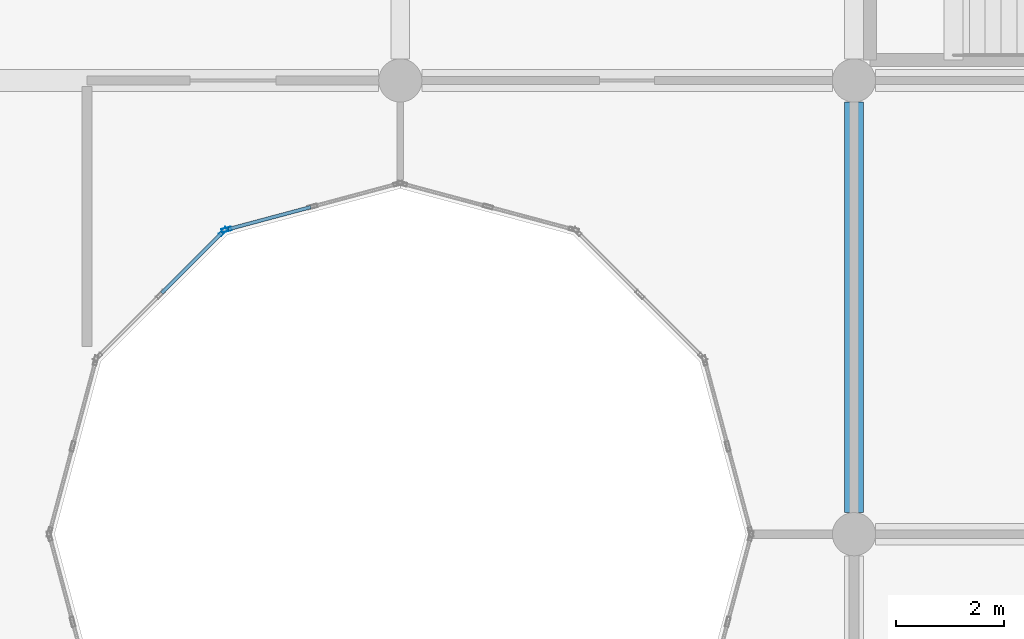
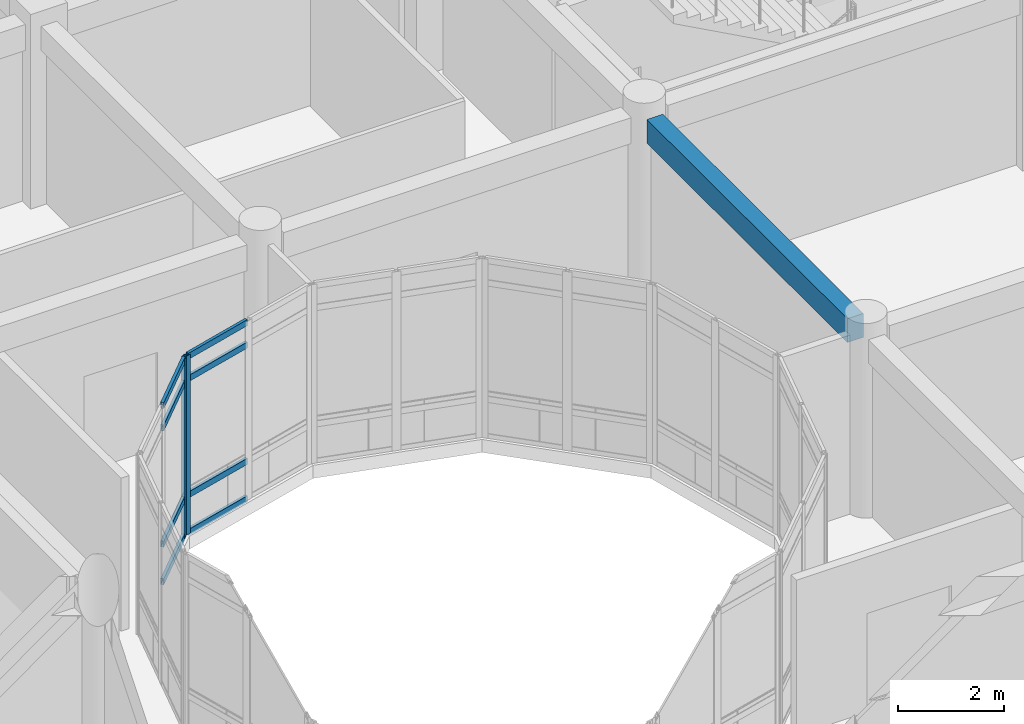
# One storey, part 54 of 144: 10 members, 1 beam, 2 elements without a shape of their own.
"""IFC4 building model written with IfcOpenShell, lengths in metres."""

from ifc_helpers import new_model, si_unit, direction, frame, origin, origin_2d, place, context, subcontext, project, spatial, rectangle, hollow_rectangle, extrude, material, layer, layer_set, material_profile, profile_set, type_object, element, aggregate, save


model = new_model("IFC4")

# Units and contexts
model_context = context("Model", 3, precision=1e-05, world=origin(), true_north=direction((0.0, 1.0)))
body_context = subcontext(model_context, "Body", "Model", "MODEL_VIEW")
ifc_project = project(units=[si_unit("LENGTHUNIT", "METRE"), si_unit("AREAUNIT", "SQUARE_METRE"), si_unit("VOLUMEUNIT", "CUBIC_METRE"), si_unit("PLANEANGLEUNIT", "RADIAN"), si_unit("MASSUNIT", "GRAM", prefix="KILO")], contexts=[model_context])

# Site, building, storey
site_placement = place(None, origin())
site = spatial("IfcSite", under=ifc_project, at=site_placement, CompositionType="ELEMENT")
building_placement = place(site_placement, origin())
building = spatial("IfcBuilding", under=site, at=building_placement, Name="Bramfleet General Hospital", CompositionType="ELEMENT")
storey_placement = place(building_placement, frame((0.0, 0.0, 4.800048828125)))
storey = spatial("IfcBuildingStorey", under=building, at=storey_placement, Name="L01", CompositionType="ELEMENT", Elevation=4.800048828125)

# Beam
ifc_material_1 = material(Name="Concrete C35/45", Category="concrete")
ifc_material_profile_1 = material_profile(ifc_material_1, rectangle(XDim=0.35009765625, YDim=0.550048828125, at=origin_2d()), Name="RC BM 550x350")
ifc_profile_set_1 = profile_set([ifc_material_profile_1], Name="Concrete C35/45")
beam_type = type_object("IfcBeamType", Name="BM-RC550", PredefinedType="BEAM", material=ifc_profile_set_1)
beam_placement = place(storey_placement, frame((126.0, 67.60009765625, 3.875), z_axis=(0.0, 1.0, 0.0), x_axis=(-1.0, 0.0, 0.0)))
element("IfcBeam", 1, at=beam_placement, inside=storey, type_object=beam_type, Name="L01 Grid Beam Y 15-08", PredefinedType="BEAM", context=body_context, shape_type="SweptSolid", body=[
    extrude(rectangle(XDim=0.35009765625, YDim=0.550048828125, at=origin_2d()), origin(), (0.0, 0.0, 1.0), 7.599853515625),
])

# Curtain wall, member
ifc_material_2 = material(Name="Anodised aluminium and low-E triple glazing", Category="aluminium")
ifc_layer_1 = layer(ifc_material_2, 0.179931640625, Name="CWT-CW-18")
ifc_layer_set_1 = layer_set([ifc_layer_1], Name="Anodised aluminium and low-E triple glazing")
curtain_wall_type_1 = type_object("IfcCurtainWallType", Name="CWT-CW-18", PredefinedType="USERDEFINED", material=ifc_layer_set_1)
curtain_wall_1_placement = place(storey_placement, origin())
curtain_wall_1 = element("IfcCurtainWall", 2, at=curtain_wall_1_placement, inside=storey, type_object=curtain_wall_type_1, Name="L01 East Laboratory Light Court Curtain Wall 10.1", ObjectType="Stick curtain wall", PredefinedType="USERDEFINED")
ifc_material_3 = material(Name="Anodised aluminium EN AW-6060", Category="aluminium")
ifc_material_profile_2 = material_profile(ifc_material_3, hollow_rectangle(XDim=0.070068359375, YDim=0.179931640625, WallThickness=0.00390625, at=origin_2d()), Name="ALU 180x70x4.0")
ifc_profile_set_2 = profile_set([ifc_material_profile_2], Name="Anodised aluminium EN AW-6060")
member_type_1 = type_object("IfcMemberType", Name="CWM-ALU180", PredefinedType="MULLION", material=ifc_profile_set_2)
member_1_placement = place(storey_placement, frame((114.3837890625, 72.838134765625, 0.0), z_axis=(0.0, 0.0, 1.0), x_axis=(0.258864833085, -0.965913556273, 0.0)))
member_1 = element("IfcMember", 3, at=member_1_placement, type_object=member_type_1, Name="CW-18 mullion 3", PredefinedType="MULLION", context=body_context, shape_type="SweptSolid", body=[
    extrude(hollow_rectangle(XDim=0.070068359375, YDim=0.179931640625, WallThickness=0.00390625, at=origin_2d()), origin(), (0.0, 0.0, 1.0), 4.139892578125),
])

ifc_layer_2 = layer(ifc_material_2, 0.179931640625, Name="CWT-CW-11")
ifc_layer_set_2 = layer_set([ifc_layer_2], Name="Anodised aluminium and low-E triple glazing")
curtain_wall_type_2 = type_object("IfcCurtainWallType", Name="CWT-CW-11", PredefinedType="USERDEFINED", material=ifc_layer_set_2)
curtain_wall_2_placement = place(storey_placement, origin())
curtain_wall_2 = element("IfcCurtainWall", 4, at=curtain_wall_2_placement, inside=storey, type_object=curtain_wall_type_2, Name="L01 East Laboratory Light Court Curtain Wall 11.1", ObjectType="Stick curtain wall", PredefinedType="USERDEFINED")
member_2_placement = place(storey_placement, frame((114.3251953125, 72.80419921875, 0.0), z_axis=(0.0, 0.0, 1.0), x_axis=(0.707106781187, -0.707106781187, 0.0)))
member_2 = element("IfcMember", 5, at=member_2_placement, type_object=member_type_1, Name="CW-11 mullion 1", PredefinedType="MULLION", context=body_context, shape_type="SweptSolid", body=[
    extrude(hollow_rectangle(XDim=0.070068359375, YDim=0.179931640625, WallThickness=0.00390625, at=origin_2d()), origin(), (0.0, 0.0, 1.0), 4.139892578125),
])

# Member
ifc_material_profile_3 = material_profile(ifc_material_3, hollow_rectangle(XDim=0.06494140625, YDim=0.139892578125, WallThickness=0.00390625, at=origin_2d()), Name="ALU 140x65x4.0")
ifc_profile_set_3 = profile_set([ifc_material_profile_3], Name="Anodised aluminium EN AW-6060")
member_type_2 = type_object("IfcMemberType", Name="CWT-ALU140", PredefinedType="USERDEFINED", material=ifc_profile_set_3)
member_3_placement = place(storey_placement, frame((115.941162109375, 73.25537109375, 0.032470703125), z_axis=(-0.965925940868, -0.258818617489, 0.0), x_axis=(0.258818617489, -0.965925940868, 0.0)))
member_3 = element("IfcMember", 6, at=member_3_placement, type_object=member_type_2, Name="CW-18 transom 2.1", ObjectType="TRANSOM", PredefinedType="USERDEFINED", context=body_context, shape_type="SweptSolid", body=[
    extrude(hollow_rectangle(XDim=0.06494140625, YDim=0.139892578125, WallThickness=0.00390625, at=origin_2d()), origin(), (0.0, 0.0, 1.0), 1.5771484375),
])

member_4_placement = place(storey_placement, frame((115.941162109375, 73.25537109375, 0.89990234375), z_axis=(-0.965925940868, -0.258818617489, 0.0), x_axis=(0.258818617489, -0.965925940868, 0.0)))
member_4 = element("IfcMember", 7, at=member_4_placement, type_object=member_type_2, Name="CW-18 transom 2.2", ObjectType="TRANSOM", PredefinedType="USERDEFINED", context=body_context, shape_type="SweptSolid", body=[
    extrude(hollow_rectangle(XDim=0.06494140625, YDim=0.139892578125, WallThickness=0.00390625, at=origin_2d()), origin(), (0.0, 0.0, 1.0), 1.5771484375),
])

member_5_placement = place(storey_placement, frame((115.941162109375, 73.25537109375, 3.58984375), z_axis=(-0.965925940868, -0.258818617489, 0.0), x_axis=(0.258818617489, -0.965925940868, 0.0)))
member_5 = element("IfcMember", 8, at=member_5_placement, type_object=member_type_2, Name="CW-18 transom 2.3", ObjectType="TRANSOM", PredefinedType="USERDEFINED", context=body_context, shape_type="SweptSolid", body=[
    extrude(hollow_rectangle(XDim=0.06494140625, YDim=0.139892578125, WallThickness=0.00390625, at=origin_2d()), origin(), (0.0, 0.0, 1.0), 1.5771484375),
])

member_6_placement = place(storey_placement, frame((115.941162109375, 73.25537109375, 4.107421875), z_axis=(-0.965925940868, -0.258818617489, 0.0), x_axis=(0.258818617489, -0.965925940868, 0.0)))
member_6 = element("IfcMember", 9, at=member_6_placement, type_object=member_type_2, Name="CW-18 transom 2.4", ObjectType="TRANSOM", PredefinedType="USERDEFINED", context=body_context, shape_type="SweptSolid", body=[
    extrude(hollow_rectangle(XDim=0.06494140625, YDim=0.139892578125, WallThickness=0.00390625, at=origin_2d()), origin(), (0.0, 0.0, 1.0), 1.5771484375),
])

aggregate(curtain_wall_1, [member_1, member_3, member_4, member_5, member_6])

member_7_placement = place(storey_placement, frame((114.300537109375, 72.779541015625, 0.032470703125), z_axis=(-0.707106781187, -0.707106781187, 0.0), x_axis=(0.707106781187, -0.707106781187, 0.0)))
member_7 = element("IfcMember", 10, at=member_7_placement, type_object=member_type_2, Name="CW-11 transom 1.1", ObjectType="TRANSOM", PredefinedType="USERDEFINED", context=body_context, shape_type="SweptSolid", body=[
    extrude(hollow_rectangle(XDim=0.06494140625, YDim=0.139892578125, WallThickness=0.00390625, at=origin_2d()), origin(), (0.0, 0.0, 1.0), 1.5771484375),
])

member_8_placement = place(storey_placement, frame((114.300537109375, 72.779541015625, 0.89990234375), z_axis=(-0.707106781187, -0.707106781187, 0.0), x_axis=(0.707106781187, -0.707106781187, 0.0)))
member_8 = element("IfcMember", 11, at=member_8_placement, type_object=member_type_2, Name="CW-11 transom 1.2", ObjectType="TRANSOM", PredefinedType="USERDEFINED", context=body_context, shape_type="SweptSolid", body=[
    extrude(hollow_rectangle(XDim=0.06494140625, YDim=0.139892578125, WallThickness=0.00390625, at=origin_2d()), origin(), (0.0, 0.0, 1.0), 1.5771484375),
])

member_9_placement = place(storey_placement, frame((114.300537109375, 72.779541015625, 3.58984375), z_axis=(-0.707106781187, -0.707106781187, 0.0), x_axis=(0.707106781187, -0.707106781187, 0.0)))
member_9 = element("IfcMember", 12, at=member_9_placement, type_object=member_type_2, Name="CW-11 transom 1.3", ObjectType="TRANSOM", PredefinedType="USERDEFINED", context=body_context, shape_type="SweptSolid", body=[
    extrude(hollow_rectangle(XDim=0.06494140625, YDim=0.139892578125, WallThickness=0.00390625, at=origin_2d()), origin(), (0.0, 0.0, 1.0), 1.5771484375),
])

member_10_placement = place(storey_placement, frame((114.300537109375, 72.779541015625, 4.107421875), z_axis=(-0.707106781187, -0.707106781187, 0.0), x_axis=(0.707106781187, -0.707106781187, 0.0)))
member_10 = element("IfcMember", 13, at=member_10_placement, type_object=member_type_2, Name="CW-11 transom 1.4", ObjectType="TRANSOM", PredefinedType="USERDEFINED", context=body_context, shape_type="SweptSolid", body=[
    extrude(hollow_rectangle(XDim=0.06494140625, YDim=0.139892578125, WallThickness=0.00390625, at=origin_2d()), origin(), (0.0, 0.0, 1.0), 1.5771484375),
])

aggregate(curtain_wall_2, [member_2, member_7, member_8, member_9, member_10])

save(model, "model.ifc")
